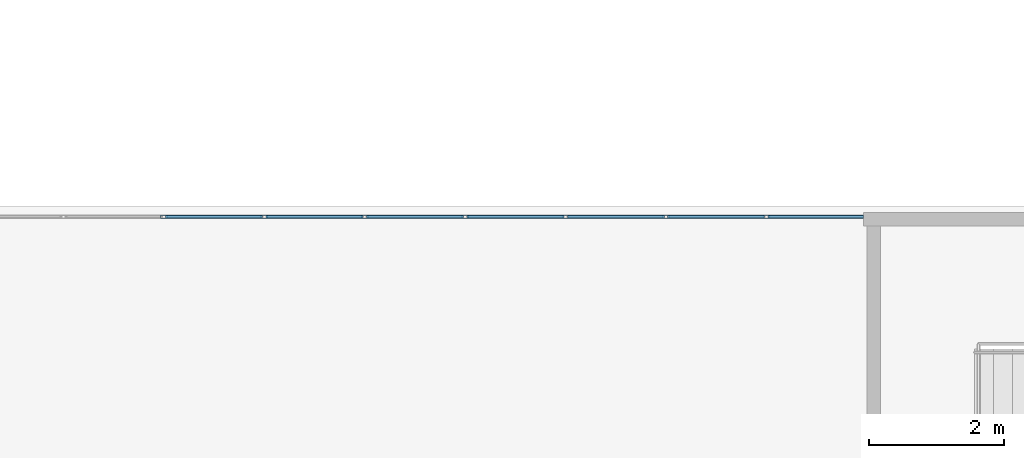
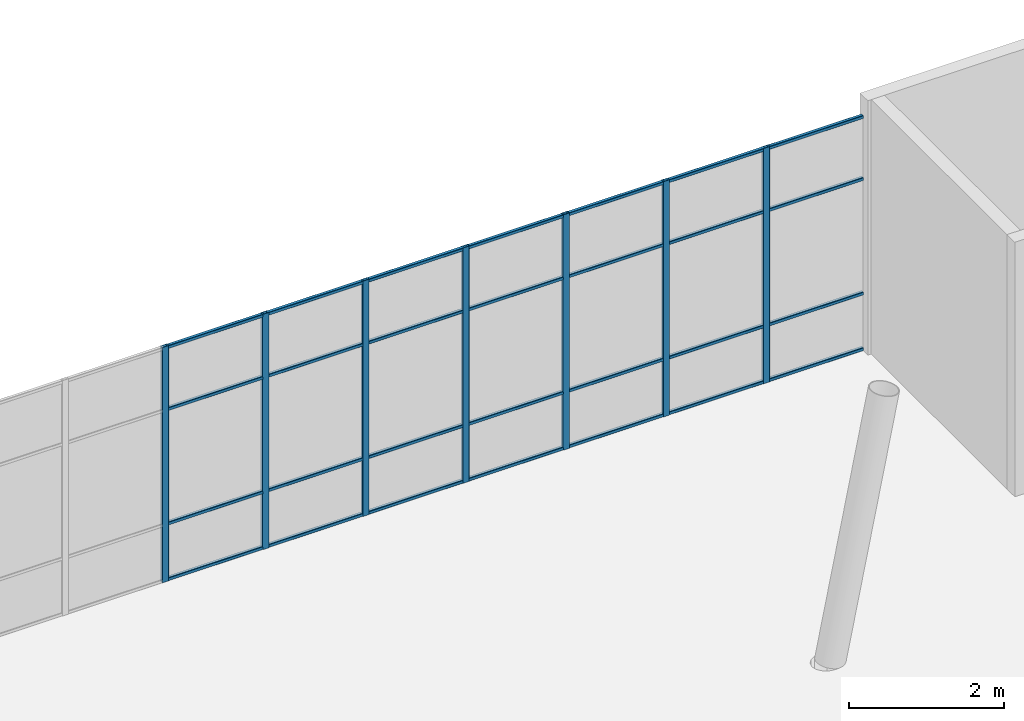
# One storey, part 23 of 66: 35 members, 1 element without a shape of its own.
"""IFC4 building model written with IfcOpenShell, lengths in metres."""

from ifc_helpers import new_model, si_unit, direction, frame, origin, origin_2d, place, context, subcontext, project, spatial, hollow_rectangle, extrude, material, layer, layer_set, material_profile, profile_set, type_object, element, aggregate, save


model = new_model("IFC4")

# Units and contexts
model_context = context("Model", 3, precision=1e-05, world=origin(), true_north=direction((0.0, 1.0)))
body_context = subcontext(model_context, "Body", "Model", "MODEL_VIEW")
ifc_project = project(units=[si_unit("LENGTHUNIT", "METRE"), si_unit("AREAUNIT", "SQUARE_METRE"), si_unit("VOLUMEUNIT", "CUBIC_METRE"), si_unit("PLANEANGLEUNIT", "RADIAN"), si_unit("MASSUNIT", "GRAM", prefix="KILO")], contexts=[model_context])

# Site, building, storey
site_placement = place(None, origin())
site = spatial("IfcSite", under=ifc_project, at=site_placement, CompositionType="ELEMENT")
building_placement = place(site_placement, origin())
building = spatial("IfcBuilding", under=site, at=building_placement, Name="Tuart Plaza Theatre", CompositionType="ELEMENT")
storey_placement = place(building_placement, frame((0.0, 0.0, 5.5)))
storey = spatial("IfcBuildingStorey", under=building, at=storey_placement, Name="L01", CompositionType="ELEMENT", Elevation=5.5)

# Curtain wall, members
ifc_material_1 = material(Name="Aluminium and glass", Category="aluminium")
ifc_layer = layer(ifc_material_1, 0.10009765625)
ifc_layer_set = layer_set([ifc_layer], Name="CURTAIN WALL 1500 module")
curtain_wall_type = type_object("IfcCurtainWallType", Name="CURTAIN WALL 1500 module", PredefinedType="NOTDEFINED", material=ifc_layer_set)
curtain_wall_placement = place(storey_placement, origin())
curtain_wall = element("IfcCurtainWall", 1, at=curtain_wall_placement, inside=storey, type_object=curtain_wall_type, Name="CW23", PredefinedType="NOTDEFINED")
ifc_material_2 = material(Name="Aluminium 6063-T5", Category="aluminium")
ifc_material_profile_1 = material_profile(ifc_material_2, hollow_rectangle(XDim=0.050048828125, YDim=0.10009765625, WallThickness=0.00390625, InnerFilletRadius=0.00390625, OuterFilletRadius=0.008056640625, at=origin_2d()), Name="RHS 100x50x4")
ifc_profile_set_1 = profile_set([ifc_material_profile_1], Name="Aluminium 6063-T5")
member_type_1 = type_object("IfcMemberType", Name="MULLION RHS 100x50x4", PredefinedType="MULLION", material=ifc_profile_set_1)
member_1_placement = place(storey_placement, frame((81.572998046875, 79.8369140625, 0.0), z_axis=(0.0, 0.0, 1.0), x_axis=(0.0, 1.0, 0.0)))
member_1 = element("IfcMember", 2, at=member_1_placement, type_object=member_type_1, Name="CW23 mullion 3", PredefinedType="MULLION", context=body_context, shape_type="SweptSolid", body=[
    extrude(hollow_rectangle(XDim=0.050048828125, YDim=0.10009765625, WallThickness=0.00390625, InnerFilletRadius=0.00390625, OuterFilletRadius=0.008056640625, at=origin_2d()), origin(), (0.0, 0.0, 1.0), 3.699951171875),
])
member_2_placement = place(storey_placement, frame((83.062744140625, 79.8369140625, 0.0), z_axis=(0.0, 0.0, 1.0), x_axis=(0.0, 1.0, 0.0)))
member_2 = element("IfcMember", 3, at=member_2_placement, type_object=member_type_1, Name="CW23 mullion 4", PredefinedType="MULLION", context=body_context, shape_type="SweptSolid", body=[
    extrude(hollow_rectangle(XDim=0.050048828125, YDim=0.10009765625, WallThickness=0.00390625, InnerFilletRadius=0.00390625, OuterFilletRadius=0.008056640625, at=origin_2d()), origin(), (0.0, 0.0, 1.0), 3.699951171875),
])
member_3_placement = place(storey_placement, frame((84.55224609375, 79.8369140625, 0.0), z_axis=(0.0, 0.0, 1.0), x_axis=(0.0, 1.0, 0.0)))
member_3 = element("IfcMember", 4, at=member_3_placement, type_object=member_type_1, Name="CW23 mullion 5", PredefinedType="MULLION", context=body_context, shape_type="SweptSolid", body=[
    extrude(hollow_rectangle(XDim=0.050048828125, YDim=0.10009765625, WallThickness=0.00390625, InnerFilletRadius=0.00390625, OuterFilletRadius=0.008056640625, at=origin_2d()), origin(), (0.0, 0.0, 1.0), 3.699951171875),
])
member_4_placement = place(storey_placement, frame((86.041748046875, 79.8369140625, 0.0), z_axis=(0.0, 0.0, 1.0), x_axis=(0.0, 1.0, 0.0)))
member_4 = element("IfcMember", 5, at=member_4_placement, type_object=member_type_1, Name="CW23 mullion 6", PredefinedType="MULLION", context=body_context, shape_type="SweptSolid", body=[
    extrude(hollow_rectangle(XDim=0.050048828125, YDim=0.10009765625, WallThickness=0.00390625, InnerFilletRadius=0.00390625, OuterFilletRadius=0.008056640625, at=origin_2d()), origin(), (0.0, 0.0, 1.0), 3.699951171875),
])
member_5_placement = place(storey_placement, frame((87.53125, 79.8369140625, 0.0), z_axis=(0.0, 0.0, 1.0), x_axis=(0.0, 1.0, 0.0)))
member_5 = element("IfcMember", 6, at=member_5_placement, type_object=member_type_1, Name="CW23 mullion 7", PredefinedType="MULLION", context=body_context, shape_type="SweptSolid", body=[
    extrude(hollow_rectangle(XDim=0.050048828125, YDim=0.10009765625, WallThickness=0.00390625, InnerFilletRadius=0.00390625, OuterFilletRadius=0.008056640625, at=origin_2d()), origin(), (0.0, 0.0, 1.0), 3.699951171875),
])
member_6_placement = place(storey_placement, frame((89.02099609375, 79.8369140625, 0.0), z_axis=(0.0, 0.0, 1.0), x_axis=(0.0, 1.0, 0.0)))
member_6 = element("IfcMember", 7, at=member_6_placement, type_object=member_type_1, Name="CW23 mullion 8", PredefinedType="MULLION", context=body_context, shape_type="SweptSolid", body=[
    extrude(hollow_rectangle(XDim=0.050048828125, YDim=0.10009765625, WallThickness=0.00390625, InnerFilletRadius=0.00390625, OuterFilletRadius=0.008056640625, at=origin_2d()), origin(), (0.0, 0.0, 1.0), 3.699951171875),
])
member_7_placement = place(storey_placement, frame((90.510498046875, 79.8369140625, 0.0), z_axis=(0.0, 0.0, 1.0), x_axis=(0.0, 1.0, 0.0)))
member_7 = element("IfcMember", 8, at=member_7_placement, type_object=member_type_1, Name="CW23 mullion 9", PredefinedType="MULLION", context=body_context, shape_type="SweptSolid", body=[
    extrude(hollow_rectangle(XDim=0.050048828125, YDim=0.10009765625, WallThickness=0.00390625, InnerFilletRadius=0.00390625, OuterFilletRadius=0.008056640625, at=origin_2d()), origin(), (0.0, 0.0, 1.0), 3.699951171875),
])
ifc_material_3 = material(Name="Aluminium 6063-T5", Category="aluminium")
ifc_material_profile_2 = material_profile(ifc_material_3, hollow_rectangle(XDim=0.050048828125, YDim=0.050048828125, WallThickness=0.00390625, InnerFilletRadius=0.00390625, OuterFilletRadius=0.008056640625, at=origin_2d()), Name="RHS 50x50x4")
ifc_profile_set_2 = profile_set([ifc_material_profile_2], Name="Aluminium 6063-T5")
member_type_2 = type_object("IfcMemberType", Name="TRANSOM RHS 50x50x4", PredefinedType="USERDEFINED", material=ifc_profile_set_2)
member_8_placement = place(storey_placement, frame((81.59814453125, 79.8369140625, 0.02490234375), z_axis=(1.0, 0.0, 0.0), x_axis=(0.0, 1.0, 0.0)))
member_8 = element("IfcMember", 9, at=member_8_placement, type_object=member_type_2, Name="CW23 transom 3.1", ObjectType="TRANSOM", PredefinedType="USERDEFINED", context=body_context, shape_type="SweptSolid", body=[
    extrude(hollow_rectangle(XDim=0.050048828125, YDim=0.050048828125, WallThickness=0.00390625, InnerFilletRadius=0.00390625, OuterFilletRadius=0.008056640625, at=origin_2d()), origin(), (0.0, 0.0, 1.0), 1.439453125),
])
member_9_placement = place(storey_placement, frame((81.59814453125, 79.8369140625, 0.89990234375), z_axis=(1.0, 0.0, 0.0), x_axis=(0.0, 1.0, 0.0)))
member_9 = element("IfcMember", 10, at=member_9_placement, type_object=member_type_2, Name="CW23 transom 3.2", ObjectType="TRANSOM", PredefinedType="USERDEFINED", context=body_context, shape_type="SweptSolid", body=[
    extrude(hollow_rectangle(XDim=0.050048828125, YDim=0.050048828125, WallThickness=0.00390625, InnerFilletRadius=0.00390625, OuterFilletRadius=0.008056640625, at=origin_2d()), origin(), (0.0, 0.0, 1.0), 1.439453125),
])
member_10_placement = place(storey_placement, frame((81.59814453125, 79.8369140625, 2.699951171875), z_axis=(1.0, 0.0, 0.0), x_axis=(0.0, 1.0, 0.0)))
member_10 = element("IfcMember", 11, at=member_10_placement, type_object=member_type_2, Name="CW23 transom 3.3", ObjectType="TRANSOM", PredefinedType="USERDEFINED", context=body_context, shape_type="SweptSolid", body=[
    extrude(hollow_rectangle(XDim=0.050048828125, YDim=0.050048828125, WallThickness=0.00390625, InnerFilletRadius=0.00390625, OuterFilletRadius=0.008056640625, at=origin_2d()), origin(), (0.0, 0.0, 1.0), 1.439453125),
])
member_11_placement = place(storey_placement, frame((81.59814453125, 79.8369140625, 3.675048828125), z_axis=(1.0, 0.0, 0.0), x_axis=(0.0, 1.0, 0.0)))
member_11 = element("IfcMember", 12, at=member_11_placement, type_object=member_type_2, Name="CW23 transom 3.4", ObjectType="TRANSOM", PredefinedType="USERDEFINED", context=body_context, shape_type="SweptSolid", body=[
    extrude(hollow_rectangle(XDim=0.050048828125, YDim=0.050048828125, WallThickness=0.00390625, InnerFilletRadius=0.00390625, OuterFilletRadius=0.008056640625, at=origin_2d()), origin(), (0.0, 0.0, 1.0), 1.439453125),
])
member_12_placement = place(storey_placement, frame((83.087646484375, 79.8369140625, 0.02490234375), z_axis=(1.0, 0.0, 0.0), x_axis=(0.0, 1.0, 0.0)))
member_12 = element("IfcMember", 13, at=member_12_placement, type_object=member_type_2, Name="CW23 transom 4.1", ObjectType="TRANSOM", PredefinedType="USERDEFINED", context=body_context, shape_type="SweptSolid", body=[
    extrude(hollow_rectangle(XDim=0.050048828125, YDim=0.050048828125, WallThickness=0.00390625, InnerFilletRadius=0.00390625, OuterFilletRadius=0.008056640625, at=origin_2d()), origin(), (0.0, 0.0, 1.0), 1.439697265625),
])
member_13_placement = place(storey_placement, frame((83.087646484375, 79.8369140625, 0.89990234375), z_axis=(1.0, 0.0, 0.0), x_axis=(0.0, 1.0, 0.0)))
member_13 = element("IfcMember", 14, at=member_13_placement, type_object=member_type_2, Name="CW23 transom 4.2", ObjectType="TRANSOM", PredefinedType="USERDEFINED", context=body_context, shape_type="SweptSolid", body=[
    extrude(hollow_rectangle(XDim=0.050048828125, YDim=0.050048828125, WallThickness=0.00390625, InnerFilletRadius=0.00390625, OuterFilletRadius=0.008056640625, at=origin_2d()), origin(), (0.0, 0.0, 1.0), 1.439697265625),
])
member_14_placement = place(storey_placement, frame((83.087646484375, 79.8369140625, 2.699951171875), z_axis=(1.0, 0.0, 0.0), x_axis=(0.0, 1.0, 0.0)))
member_14 = element("IfcMember", 15, at=member_14_placement, type_object=member_type_2, Name="CW23 transom 4.3", ObjectType="TRANSOM", PredefinedType="USERDEFINED", context=body_context, shape_type="SweptSolid", body=[
    extrude(hollow_rectangle(XDim=0.050048828125, YDim=0.050048828125, WallThickness=0.00390625, InnerFilletRadius=0.00390625, OuterFilletRadius=0.008056640625, at=origin_2d()), origin(), (0.0, 0.0, 1.0), 1.439697265625),
])
member_15_placement = place(storey_placement, frame((83.087646484375, 79.8369140625, 3.675048828125), z_axis=(1.0, 0.0, 0.0), x_axis=(0.0, 1.0, 0.0)))
member_15 = element("IfcMember", 16, at=member_15_placement, type_object=member_type_2, Name="CW23 transom 4.4", ObjectType="TRANSOM", PredefinedType="USERDEFINED", context=body_context, shape_type="SweptSolid", body=[
    extrude(hollow_rectangle(XDim=0.050048828125, YDim=0.050048828125, WallThickness=0.00390625, InnerFilletRadius=0.00390625, OuterFilletRadius=0.008056640625, at=origin_2d()), origin(), (0.0, 0.0, 1.0), 1.439697265625),
])
member_16_placement = place(storey_placement, frame((84.5771484375, 79.8369140625, 0.02490234375), z_axis=(1.0, 0.0, 0.0), x_axis=(0.0, 1.0, 0.0)))
member_16 = element("IfcMember", 17, at=member_16_placement, type_object=member_type_2, Name="CW23 transom 5.1", ObjectType="TRANSOM", PredefinedType="USERDEFINED", context=body_context, shape_type="SweptSolid", body=[
    extrude(hollow_rectangle(XDim=0.050048828125, YDim=0.050048828125, WallThickness=0.00390625, InnerFilletRadius=0.00390625, OuterFilletRadius=0.008056640625, at=origin_2d()), origin(), (0.0, 0.0, 1.0), 1.439697265625),
])
member_17_placement = place(storey_placement, frame((84.5771484375, 79.8369140625, 0.89990234375), z_axis=(1.0, 0.0, 0.0), x_axis=(0.0, 1.0, 0.0)))
member_17 = element("IfcMember", 18, at=member_17_placement, type_object=member_type_2, Name="CW23 transom 5.2", ObjectType="TRANSOM", PredefinedType="USERDEFINED", context=body_context, shape_type="SweptSolid", body=[
    extrude(hollow_rectangle(XDim=0.050048828125, YDim=0.050048828125, WallThickness=0.00390625, InnerFilletRadius=0.00390625, OuterFilletRadius=0.008056640625, at=origin_2d()), origin(), (0.0, 0.0, 1.0), 1.439697265625),
])
member_18_placement = place(storey_placement, frame((84.5771484375, 79.8369140625, 2.699951171875), z_axis=(1.0, 0.0, 0.0), x_axis=(0.0, 1.0, 0.0)))
member_18 = element("IfcMember", 19, at=member_18_placement, type_object=member_type_2, Name="CW23 transom 5.3", ObjectType="TRANSOM", PredefinedType="USERDEFINED", context=body_context, shape_type="SweptSolid", body=[
    extrude(hollow_rectangle(XDim=0.050048828125, YDim=0.050048828125, WallThickness=0.00390625, InnerFilletRadius=0.00390625, OuterFilletRadius=0.008056640625, at=origin_2d()), origin(), (0.0, 0.0, 1.0), 1.439697265625),
])
member_19_placement = place(storey_placement, frame((84.5771484375, 79.8369140625, 3.675048828125), z_axis=(1.0, 0.0, 0.0), x_axis=(0.0, 1.0, 0.0)))
member_19 = element("IfcMember", 20, at=member_19_placement, type_object=member_type_2, Name="CW23 transom 5.4", ObjectType="TRANSOM", PredefinedType="USERDEFINED", context=body_context, shape_type="SweptSolid", body=[
    extrude(hollow_rectangle(XDim=0.050048828125, YDim=0.050048828125, WallThickness=0.00390625, InnerFilletRadius=0.00390625, OuterFilletRadius=0.008056640625, at=origin_2d()), origin(), (0.0, 0.0, 1.0), 1.439697265625),
])
member_20_placement = place(storey_placement, frame((86.06689453125, 79.8369140625, 0.02490234375), z_axis=(1.0, 0.0, 0.0), x_axis=(0.0, 1.0, 0.0)))
member_20 = element("IfcMember", 21, at=member_20_placement, type_object=member_type_2, Name="CW23 transom 6.1", ObjectType="TRANSOM", PredefinedType="USERDEFINED", context=body_context, shape_type="SweptSolid", body=[
    extrude(hollow_rectangle(XDim=0.050048828125, YDim=0.050048828125, WallThickness=0.00390625, InnerFilletRadius=0.00390625, OuterFilletRadius=0.008056640625, at=origin_2d()), origin(), (0.0, 0.0, 1.0), 1.439453125),
])
member_21_placement = place(storey_placement, frame((86.06689453125, 79.8369140625, 0.89990234375), z_axis=(1.0, 0.0, 0.0), x_axis=(0.0, 1.0, 0.0)))
member_21 = element("IfcMember", 22, at=member_21_placement, type_object=member_type_2, Name="CW23 transom 6.2", ObjectType="TRANSOM", PredefinedType="USERDEFINED", context=body_context, shape_type="SweptSolid", body=[
    extrude(hollow_rectangle(XDim=0.050048828125, YDim=0.050048828125, WallThickness=0.00390625, InnerFilletRadius=0.00390625, OuterFilletRadius=0.008056640625, at=origin_2d()), origin(), (0.0, 0.0, 1.0), 1.439453125),
])
member_22_placement = place(storey_placement, frame((86.06689453125, 79.8369140625, 2.699951171875), z_axis=(1.0, 0.0, 0.0), x_axis=(0.0, 1.0, 0.0)))
member_22 = element("IfcMember", 23, at=member_22_placement, type_object=member_type_2, Name="CW23 transom 6.3", ObjectType="TRANSOM", PredefinedType="USERDEFINED", context=body_context, shape_type="SweptSolid", body=[
    extrude(hollow_rectangle(XDim=0.050048828125, YDim=0.050048828125, WallThickness=0.00390625, InnerFilletRadius=0.00390625, OuterFilletRadius=0.008056640625, at=origin_2d()), origin(), (0.0, 0.0, 1.0), 1.439453125),
])
member_23_placement = place(storey_placement, frame((86.06689453125, 79.8369140625, 3.675048828125), z_axis=(1.0, 0.0, 0.0), x_axis=(0.0, 1.0, 0.0)))
member_23 = element("IfcMember", 24, at=member_23_placement, type_object=member_type_2, Name="CW23 transom 6.4", ObjectType="TRANSOM", PredefinedType="USERDEFINED", context=body_context, shape_type="SweptSolid", body=[
    extrude(hollow_rectangle(XDim=0.050048828125, YDim=0.050048828125, WallThickness=0.00390625, InnerFilletRadius=0.00390625, OuterFilletRadius=0.008056640625, at=origin_2d()), origin(), (0.0, 0.0, 1.0), 1.439453125),
])
member_24_placement = place(storey_placement, frame((87.556396484375, 79.8369140625, 0.02490234375), z_axis=(1.0, 0.0, 0.0), x_axis=(0.0, 1.0, 0.0)))
member_24 = element("IfcMember", 25, at=member_24_placement, type_object=member_type_2, Name="CW23 transom 7.1", ObjectType="TRANSOM", PredefinedType="USERDEFINED", context=body_context, shape_type="SweptSolid", body=[
    extrude(hollow_rectangle(XDim=0.050048828125, YDim=0.050048828125, WallThickness=0.00390625, InnerFilletRadius=0.00390625, OuterFilletRadius=0.008056640625, at=origin_2d()), origin(), (0.0, 0.0, 1.0), 1.439453125),
])
member_25_placement = place(storey_placement, frame((87.556396484375, 79.8369140625, 0.89990234375), z_axis=(1.0, 0.0, 0.0), x_axis=(0.0, 1.0, 0.0)))
member_25 = element("IfcMember", 26, at=member_25_placement, type_object=member_type_2, Name="CW23 transom 7.2", ObjectType="TRANSOM", PredefinedType="USERDEFINED", context=body_context, shape_type="SweptSolid", body=[
    extrude(hollow_rectangle(XDim=0.050048828125, YDim=0.050048828125, WallThickness=0.00390625, InnerFilletRadius=0.00390625, OuterFilletRadius=0.008056640625, at=origin_2d()), origin(), (0.0, 0.0, 1.0), 1.439453125),
])
member_26_placement = place(storey_placement, frame((87.556396484375, 79.8369140625, 2.699951171875), z_axis=(1.0, 0.0, 0.0), x_axis=(0.0, 1.0, 0.0)))
member_26 = element("IfcMember", 27, at=member_26_placement, type_object=member_type_2, Name="CW23 transom 7.3", ObjectType="TRANSOM", PredefinedType="USERDEFINED", context=body_context, shape_type="SweptSolid", body=[
    extrude(hollow_rectangle(XDim=0.050048828125, YDim=0.050048828125, WallThickness=0.00390625, InnerFilletRadius=0.00390625, OuterFilletRadius=0.008056640625, at=origin_2d()), origin(), (0.0, 0.0, 1.0), 1.439453125),
])
member_27_placement = place(storey_placement, frame((87.556396484375, 79.8369140625, 3.675048828125), z_axis=(1.0, 0.0, 0.0), x_axis=(0.0, 1.0, 0.0)))
member_27 = element("IfcMember", 28, at=member_27_placement, type_object=member_type_2, Name="CW23 transom 7.4", ObjectType="TRANSOM", PredefinedType="USERDEFINED", context=body_context, shape_type="SweptSolid", body=[
    extrude(hollow_rectangle(XDim=0.050048828125, YDim=0.050048828125, WallThickness=0.00390625, InnerFilletRadius=0.00390625, OuterFilletRadius=0.008056640625, at=origin_2d()), origin(), (0.0, 0.0, 1.0), 1.439453125),
])
member_28_placement = place(storey_placement, frame((89.0458984375, 79.8369140625, 0.02490234375), z_axis=(1.0, 0.0, 0.0), x_axis=(0.0, 1.0, 0.0)))
member_28 = element("IfcMember", 29, at=member_28_placement, type_object=member_type_2, Name="CW23 transom 8.1", ObjectType="TRANSOM", PredefinedType="USERDEFINED", context=body_context, shape_type="SweptSolid", body=[
    extrude(hollow_rectangle(XDim=0.050048828125, YDim=0.050048828125, WallThickness=0.00390625, InnerFilletRadius=0.00390625, OuterFilletRadius=0.008056640625, at=origin_2d()), origin(), (0.0, 0.0, 1.0), 1.439453125),
])
member_29_placement = place(storey_placement, frame((89.0458984375, 79.8369140625, 0.89990234375), z_axis=(1.0, 0.0, 0.0), x_axis=(0.0, 1.0, 0.0)))
member_29 = element("IfcMember", 30, at=member_29_placement, type_object=member_type_2, Name="CW23 transom 8.2", ObjectType="TRANSOM", PredefinedType="USERDEFINED", context=body_context, shape_type="SweptSolid", body=[
    extrude(hollow_rectangle(XDim=0.050048828125, YDim=0.050048828125, WallThickness=0.00390625, InnerFilletRadius=0.00390625, OuterFilletRadius=0.008056640625, at=origin_2d()), origin(), (0.0, 0.0, 1.0), 1.439453125),
])
member_30_placement = place(storey_placement, frame((89.0458984375, 79.8369140625, 2.699951171875), z_axis=(1.0, 0.0, 0.0), x_axis=(0.0, 1.0, 0.0)))
member_30 = element("IfcMember", 31, at=member_30_placement, type_object=member_type_2, Name="CW23 transom 8.3", ObjectType="TRANSOM", PredefinedType="USERDEFINED", context=body_context, shape_type="SweptSolid", body=[
    extrude(hollow_rectangle(XDim=0.050048828125, YDim=0.050048828125, WallThickness=0.00390625, InnerFilletRadius=0.00390625, OuterFilletRadius=0.008056640625, at=origin_2d()), origin(), (0.0, 0.0, 1.0), 1.439453125),
])
member_31_placement = place(storey_placement, frame((89.0458984375, 79.8369140625, 3.675048828125), z_axis=(1.0, 0.0, 0.0), x_axis=(0.0, 1.0, 0.0)))
member_31 = element("IfcMember", 32, at=member_31_placement, type_object=member_type_2, Name="CW23 transom 8.4", ObjectType="TRANSOM", PredefinedType="USERDEFINED", context=body_context, shape_type="SweptSolid", body=[
    extrude(hollow_rectangle(XDim=0.050048828125, YDim=0.050048828125, WallThickness=0.00390625, InnerFilletRadius=0.00390625, OuterFilletRadius=0.008056640625, at=origin_2d()), origin(), (0.0, 0.0, 1.0), 1.439453125),
])
member_32_placement = place(storey_placement, frame((90.535400390625, 79.8369140625, 0.02490234375), z_axis=(1.0, 0.0, 0.0), x_axis=(0.0, 1.0, 0.0)))
member_32 = element("IfcMember", 33, at=member_32_placement, type_object=member_type_2, Name="CW23 transom 9.1", ObjectType="TRANSOM", PredefinedType="USERDEFINED", context=body_context, shape_type="SweptSolid", body=[
    extrude(hollow_rectangle(XDim=0.050048828125, YDim=0.050048828125, WallThickness=0.00390625, InnerFilletRadius=0.00390625, OuterFilletRadius=0.008056640625, at=origin_2d()), origin(), (0.0, 0.0, 1.0), 1.41455078125),
])
member_33_placement = place(storey_placement, frame((90.535400390625, 79.8369140625, 0.89990234375), z_axis=(1.0, 0.0, 0.0), x_axis=(0.0, 1.0, 0.0)))
member_33 = element("IfcMember", 34, at=member_33_placement, type_object=member_type_2, Name="CW23 transom 9.2", ObjectType="TRANSOM", PredefinedType="USERDEFINED", context=body_context, shape_type="SweptSolid", body=[
    extrude(hollow_rectangle(XDim=0.050048828125, YDim=0.050048828125, WallThickness=0.00390625, InnerFilletRadius=0.00390625, OuterFilletRadius=0.008056640625, at=origin_2d()), origin(), (0.0, 0.0, 1.0), 1.41455078125),
])
member_34_placement = place(storey_placement, frame((90.535400390625, 79.8369140625, 2.699951171875), z_axis=(1.0, 0.0, 0.0), x_axis=(0.0, 1.0, 0.0)))
member_34 = element("IfcMember", 35, at=member_34_placement, type_object=member_type_2, Name="CW23 transom 9.3", ObjectType="TRANSOM", PredefinedType="USERDEFINED", context=body_context, shape_type="SweptSolid", body=[
    extrude(hollow_rectangle(XDim=0.050048828125, YDim=0.050048828125, WallThickness=0.00390625, InnerFilletRadius=0.00390625, OuterFilletRadius=0.008056640625, at=origin_2d()), origin(), (0.0, 0.0, 1.0), 1.41455078125),
])
member_35_placement = place(storey_placement, frame((90.535400390625, 79.8369140625, 3.675048828125), z_axis=(1.0, 0.0, 0.0), x_axis=(0.0, 1.0, 0.0)))
member_35 = element("IfcMember", 36, at=member_35_placement, type_object=member_type_2, Name="CW23 transom 9.4", ObjectType="TRANSOM", PredefinedType="USERDEFINED", context=body_context, shape_type="SweptSolid", body=[
    extrude(hollow_rectangle(XDim=0.050048828125, YDim=0.050048828125, WallThickness=0.00390625, InnerFilletRadius=0.00390625, OuterFilletRadius=0.008056640625, at=origin_2d()), origin(), (0.0, 0.0, 1.0), 1.41455078125),
])
aggregate(curtain_wall, [member_1, member_2, member_3, member_4, member_5, member_6, member_7, member_8, member_9, member_10, member_11, member_12, member_13, member_14, member_15, member_16, member_17, member_18, member_19, member_20, member_21, member_22, member_23, member_24, member_25, member_26, member_27, member_28, member_29, member_30, member_31, member_32, member_33, member_34, member_35])

save(model, "model.ifc")
